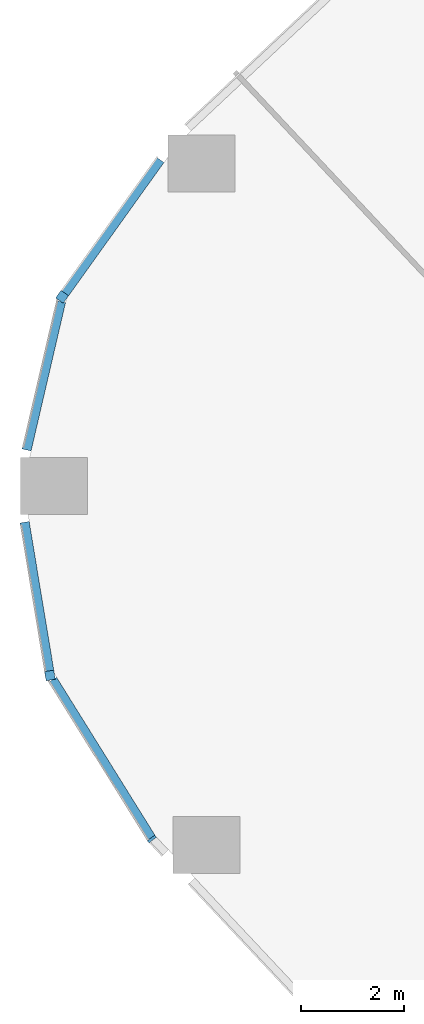
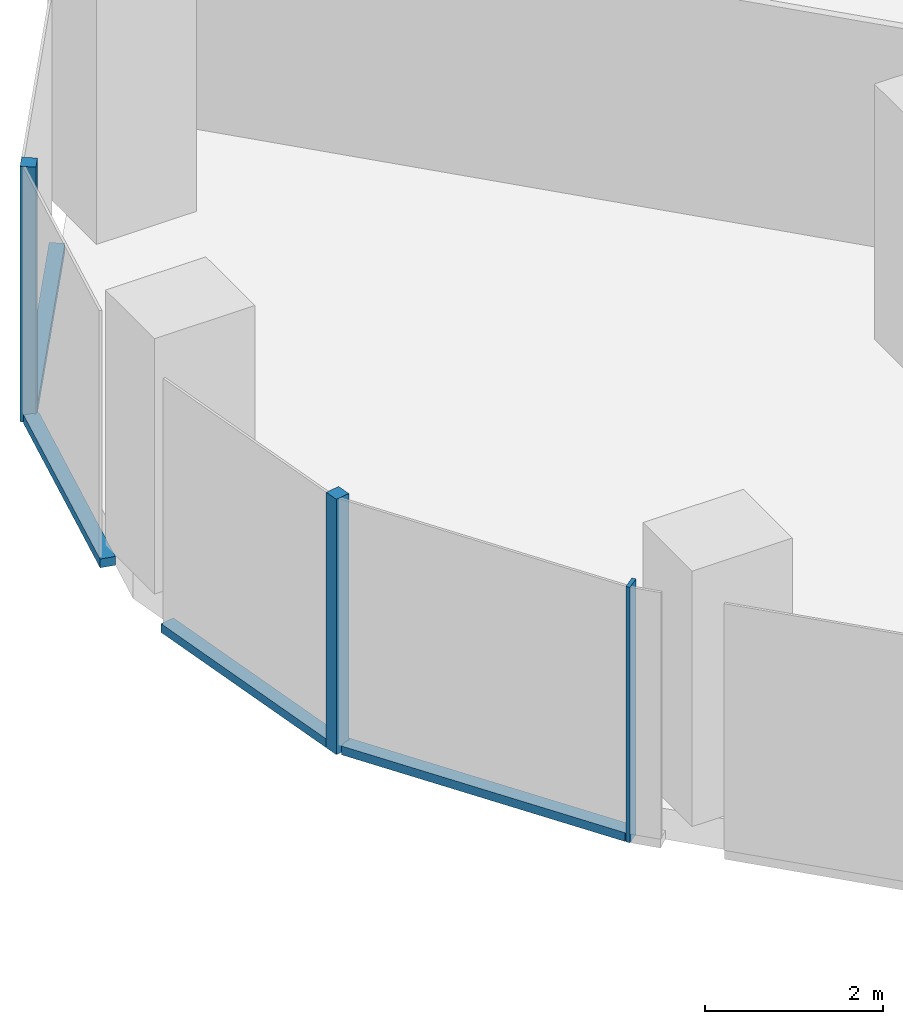
# One storey, part 3 of 34: 7 members, 4 elements without a shape of their own.
"""IFC4 building model written with IfcOpenShell, lengths in metres."""

from ifc_helpers import new_model, si_unit, direction, frame, origin, origin_2d, place, context, subcontext, project, spatial, rectangle, extrude, material, material_profile, profile_set, type_object, element, aggregate, save


model = new_model("IFC4")

# Units and contexts
model_context = context("Model", 3, precision=1e-05, world=origin(), true_north=direction((0.0, 1.0)))
body_context = subcontext(model_context, "Body", "Model", "MODEL_VIEW")
ifc_project = project(units=[si_unit("LENGTHUNIT", "METRE"), si_unit("AREAUNIT", "SQUARE_METRE"), si_unit("VOLUMEUNIT", "CUBIC_METRE"), si_unit("PLANEANGLEUNIT", "RADIAN"), si_unit("MASSUNIT", "GRAM", prefix="KILO")], contexts=[model_context])

# Site, building, storey
site_placement = place(None, origin())
site = spatial("IfcSite", under=ifc_project, at=site_placement, CompositionType="ELEMENT")
building_placement = place(site_placement, origin())
building = spatial("IfcBuilding", under=site, at=building_placement, Name="Orlundy Tower", CompositionType="ELEMENT")
storey_placement = place(building_placement, frame((0.0, 0.0, 40.800048828125)))
storey = spatial("IfcBuildingStorey", under=building, at=storey_placement, Name="L08", CompositionType="ELEMENT", Elevation=40.800048828125)

# Curtain wall, member
ifc_material_1 = material(Name="Aluminium bronze anodised", Category="aluminium")
curtain_wall_type = type_object("IfcCurtainWallType", Name="CW1 wall", PredefinedType="NOTDEFINED", material=ifc_material_1)
curtain_wall_1_placement = place(storey_placement, origin())
curtain_wall_1 = element("IfcCurtainWall", 1, at=curtain_wall_1_placement, inside=storey, type_object=curtain_wall_type, Name="CW1 run 025", PredefinedType="NOTDEFINED")
ifc_material_2 = material(Name="Aluminium bronze anodised", Category="aluminium")
ifc_material_profile_1 = material_profile(ifc_material_2, rectangle(XDim=0.179931640625, YDim=0.179931640625, at=origin_2d()), Name="CW1 corner post 180x180")
ifc_profile_set_1 = profile_set([ifc_material_profile_1], Name="Aluminium bronze anodised")
member_type_1 = type_object("IfcMemberType", Name="CW1 corner post 180x180", PredefinedType="MULLION", material=ifc_profile_set_1)
member_1_placement = place(storey_placement, frame((-53.35595703125, -30.617431640625, -0.420166015625), z_axis=(0.0, 0.0, 1.0), x_axis=(-0.986546608379, -0.163480241914, 0.0)))
member_1 = element("IfcMember", 2, at=member_1_placement, type_object=member_type_1, Name="CW1 mullion 66", PredefinedType="MULLION", context=body_context, shape_type="SweptSolid", body=[
    extrude(rectangle(XDim=0.179931640625, YDim=0.179931640625, at=origin_2d()), origin(), (0.0, 0.0, 1.0), 3.5),
])

curtain_wall_2_placement = place(storey_placement, origin())
curtain_wall_2 = element("IfcCurtainWall", 3, at=curtain_wall_2_placement, inside=storey, type_object=curtain_wall_type, Name="CW1 run 027", PredefinedType="NOTDEFINED")
member_2_placement = place(storey_placement, frame((-53.12060546875, -23.279296875, -0.420166015625), z_axis=(0.0, 0.0, 1.0), x_axis=(-0.813204454711, 0.58197810512, 0.0)))
member_2 = element("IfcMember", 4, at=member_2_placement, type_object=member_type_1, Name="CW1 mullion 68", PredefinedType="MULLION", context=body_context, shape_type="SweptSolid", body=[
    extrude(rectangle(XDim=0.179931640625, YDim=0.179931640625, at=origin_2d()), origin(), (0.0, 0.0, 1.0), 3.5),
])

# Curtain wall, members
curtain_wall_3_placement = place(storey_placement, origin())
curtain_wall_3 = element("IfcCurtainWall", 5, at=curtain_wall_3_placement, inside=storey, type_object=curtain_wall_type, Name="CW1 run 024", PredefinedType="NOTDEFINED")
ifc_material_3 = material(Name="Aluminium bronze anodised", Category="aluminium")
ifc_material_profile_2 = material_profile(ifc_material_3, rectangle(XDim=0.179931640625, YDim=0.050048828125, at=origin_2d()), Name="CW1 mullion 50x180")
ifc_profile_set_2 = profile_set([ifc_material_profile_2], Name="Aluminium bronze anodised")
member_type_2 = type_object("IfcMemberType", Name="CW1 mullion 50x180", PredefinedType="MULLION", material=ifc_profile_set_2)
member_3_placement = place(storey_placement, frame((-51.381591796875, -33.7861328125, -0.420166015625), z_axis=(0.0, 0.0, 1.0), x_axis=(-0.792872838919, -0.609387119412, 0.0)))
member_3 = element("IfcMember", 6, at=member_3_placement, type_object=member_type_2, Name="CW1 mullion 65", PredefinedType="MULLION", context=body_context, shape_type="SweptSolid", body=[
    extrude(rectangle(XDim=0.179931640625, YDim=0.050048828125, at=origin_2d()), origin(), (0.0, 0.0, 1.0), 3.5),
])
ifc_material_4 = material(Name="Aluminium bronze anodised", Category="aluminium")
ifc_material_profile_3 = material_profile(ifc_material_4, rectangle(XDim=0.179931640625, YDim=0.1201171875, at=origin_2d()), Name="CW1 transom 180x120")
ifc_profile_set_3 = profile_set([ifc_material_profile_3], Name="Aluminium bronze anodised")
member_type_3 = type_object("IfcMemberType", Name="CW1 transom 180x120", PredefinedType="USERDEFINED", material=ifc_profile_set_3)
member_4_placement = place(storey_placement, frame((-51.39501953125, -33.764892578125, -0.360107421875), z_axis=(-0.528801130179, 0.848745759767, 0.0), x_axis=(-0.848745759767, -0.528801130179, 0.0)))
member_4 = element("IfcMember", 7, at=member_4_placement, type_object=member_type_3, Name="CW1 transom", ObjectType="TRANSOM", PredefinedType="USERDEFINED", context=body_context, shape_type="SweptSolid", body=[
    extrude(rectangle(XDim=0.179931640625, YDim=0.1201171875, at=origin_2d()), origin(), (0.0, 0.0, 1.0), 3.61083984375),
])
aggregate(curtain_wall_3, [member_3, member_4])

# Member
member_5_placement = place(storey_placement, frame((-53.37060546875, -30.528564453125, -0.360107421875), z_axis=(-0.163490786089, 0.98654486105, 0.0), x_axis=(-0.98654486105, -0.163490786089, 0.0)))
member_5 = element("IfcMember", 8, at=member_5_placement, type_object=member_type_3, Name="CW1 transom", ObjectType="TRANSOM", PredefinedType="USERDEFINED", context=body_context, shape_type="SweptSolid", body=[
    extrude(rectangle(XDim=0.179931640625, YDim=0.1201171875, at=origin_2d()), origin(), (0.0, 0.0, 1.0), 2.9208984375),
])

aggregate(curtain_wall_1, [member_1, member_5])

# Curtain wall, member
curtain_wall_4_placement = place(storey_placement, origin())
curtain_wall_4 = element("IfcCurtainWall", 9, at=curtain_wall_4_placement, inside=storey, type_object=curtain_wall_type, Name="CW1 run 026", PredefinedType="NOTDEFINED")
member_6_placement = place(storey_placement, frame((-53.81005859375, -26.2470703125, -0.360107421875), z_axis=(0.226298002237, 0.97405811643, 0.0), x_axis=(-0.97405811643, 0.226298002237, 0.0)))
member_6 = element("IfcMember", 10, at=member_6_placement, type_object=member_type_3, Name="CW1 transom", ObjectType="TRANSOM", PredefinedType="USERDEFINED", context=body_context, shape_type="SweptSolid", body=[
    extrude(rectangle(XDim=0.179931640625, YDim=0.1201171875, at=origin_2d()), origin(), (0.0, 0.0, 1.0), 2.949462890625),
])
aggregate(curtain_wall_4, [member_6])

# Member
member_7_placement = place(storey_placement, frame((-53.068115234375, -23.2060546875, -0.360107421875), z_axis=(0.581943728073, 0.813229055898, 0.0), x_axis=(-0.813229055898, 0.581943728073, 0.0)))
member_7 = element("IfcMember", 11, at=member_7_placement, type_object=member_type_3, Name="CW1 transom", ObjectType="TRANSOM", PredefinedType="USERDEFINED", context=body_context, shape_type="SweptSolid", body=[
    extrude(rectangle(XDim=0.179931640625, YDim=0.1201171875, at=origin_2d()), origin(), (0.0, 0.0, 1.0), 3.174072265625),
])

aggregate(curtain_wall_2, [member_2, member_7])

save(model, "model.ifc")
